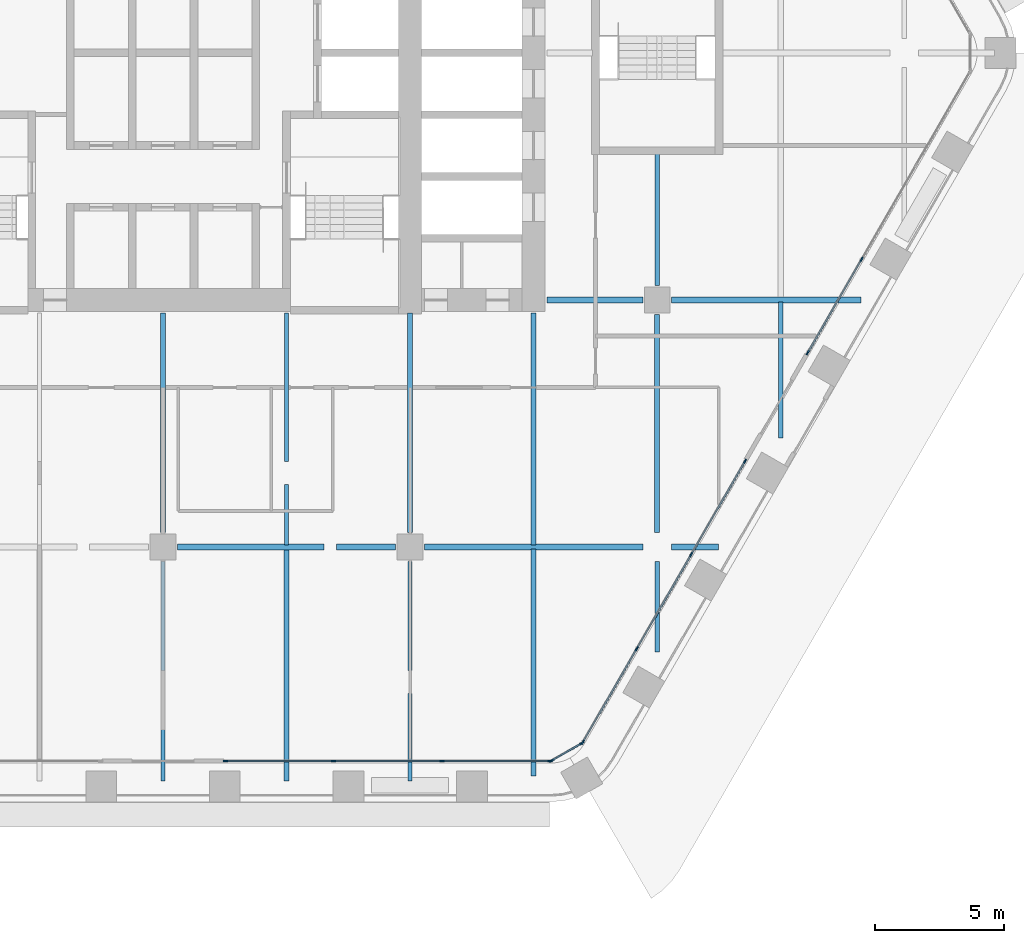
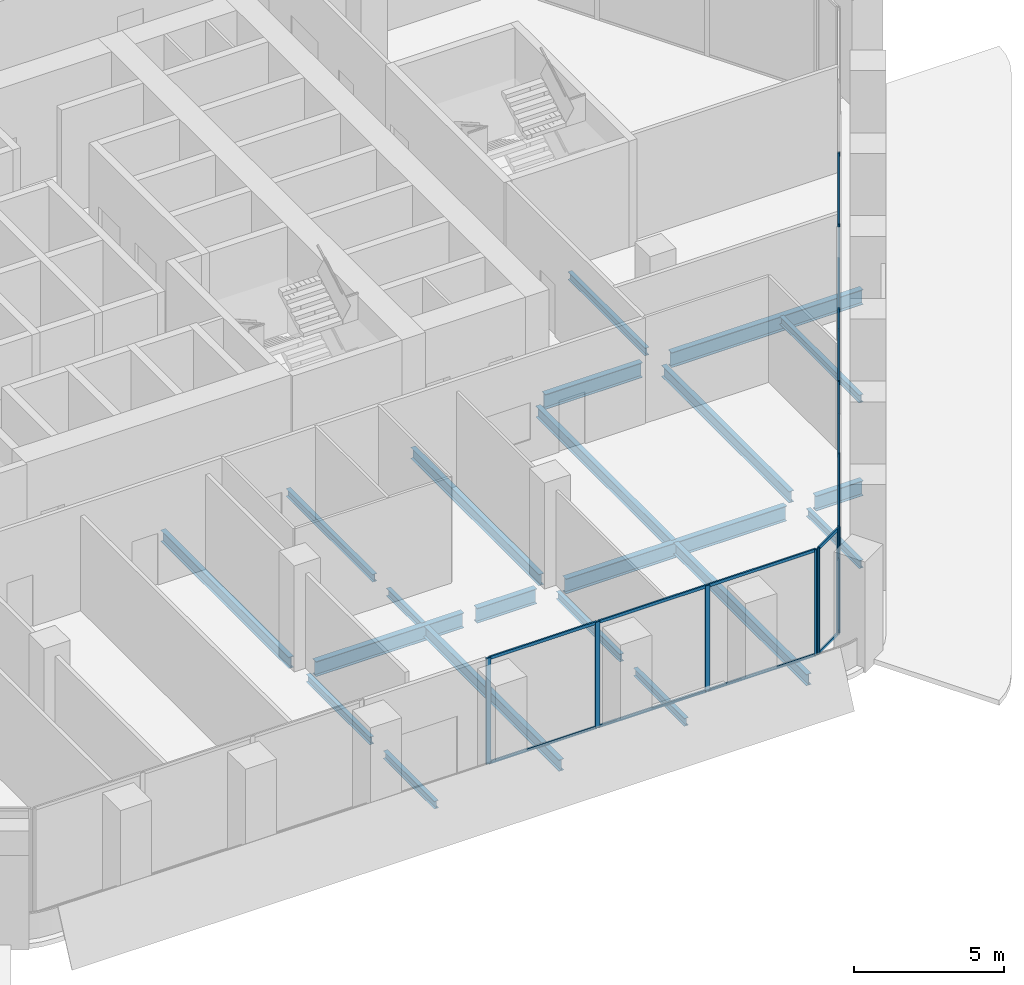
# One storey, part 4 of 23: 28 members, 21 beams, 4 elements without a shape of their own.
"""IFC4 building model written with IfcOpenShell, lengths in metres."""

from ifc_helpers import new_model, si_unit, direction, frame, origin, origin_2d, place, context, subcontext, project, spatial, rectangle, i_section, extrude, material, material_profile, profile_set, type_object, element, aggregate, save


model = new_model("IFC4")

# Units and contexts
model_context = context("Model", 3, precision=1e-05, world=origin(), true_north=direction((0.0, 1.0)))
body_context = subcontext(model_context, "Body", "Model", "MODEL_VIEW")
ifc_project = project(units=[si_unit("LENGTHUNIT", "METRE"), si_unit("AREAUNIT", "SQUARE_METRE"), si_unit("VOLUMEUNIT", "CUBIC_METRE"), si_unit("PLANEANGLEUNIT", "RADIAN"), si_unit("MASSUNIT", "GRAM", prefix="KILO")], contexts=[model_context])

# Site, building, storey
site_placement = place(None, origin())
site = spatial("IfcSite", under=ifc_project, at=site_placement, CompositionType="ELEMENT")
building_placement = place(site_placement, origin())
building = spatial("IfcBuilding", under=site, at=building_placement, Name="Kolab Exchange Tower", CompositionType="ELEMENT")
storey_placement = place(building_placement, frame((0.0, 0.0, 77.89990234375)))
storey = spatial("IfcBuildingStorey", under=building, at=storey_placement, Name="L14", CompositionType="ELEMENT", Elevation=77.89990234375)

# Beams
ifc_material_1 = material(Name="Steel S355", Category="steel")
ifc_material_profile_1 = material_profile(ifc_material_1, i_section(OverallWidth=0.1650390625, OverallDepth=0.31005859375, WebThickness=0.005859375, FlangeThickness=0.009765625, at=origin_2d()), Name="W310X39")
ifc_profile_set_1 = profile_set([ifc_material_profile_1], Name="Steel S355")
beam_type_1 = type_object("IfcBeamType", Name="FLOOR BEAM W310X39", PredefinedType="BEAM", material=ifc_profile_set_1)
beam_1_placement = place(storey_placement, frame((0.0, -28.28857421875, -0.35498046875), z_axis=(0.0, 1.0, 0.0), x_axis=(-1.0, 0.0, 0.0)))
element("IfcBeam", 1, at=beam_1_placement, inside=storey, type_object=beam_type_1, Name="beam/L14/fr/027", PredefinedType="BEAM", context=body_context, shape_type="SweptSolid", body=[
    extrude(i_section(OverallWidth=0.1650390625, OverallDepth=0.31005859375, WebThickness=0.005859375, FlangeThickness=0.009765625, at=origin_2d()), origin(), (0.0, 0.0, 1.0), 3.39599609375),
])
beam_2_placement = place(storey_placement, frame((0.0, -23.990478515625, -0.35498046875), z_axis=(0.0, 1.0, 0.0), x_axis=(-1.0, 0.0, 0.0)))
element("IfcBeam", 2, at=beam_2_placement, inside=storey, type_object=beam_type_1, Name="beam/L14/fr/028", PredefinedType="BEAM", context=body_context, shape_type="SweptSolid", body=[
    extrude(i_section(OverallWidth=0.1650390625, OverallDepth=0.31005859375, WebThickness=0.005859375, FlangeThickness=0.009765625, at=origin_2d()), origin(), (0.0, 0.0, 1.0), 4.23046875),
])
beam_3_placement = place(storey_placement, frame((4.800048828125, -19.1259765625, -0.35498046875), z_axis=(0.0, 1.0, 0.0), x_axis=(-1.0, 0.0, 0.0)))
element("IfcBeam", 3, at=beam_3_placement, inside=storey, type_object=beam_type_1, Name="beam/L14/fr/034", PredefinedType="BEAM", context=body_context, shape_type="SweptSolid", body=[
    extrude(i_section(OverallWidth=0.1650390625, OverallDepth=0.31005859375, WebThickness=0.005859375, FlangeThickness=0.009765625, at=origin_2d()), origin(), (0.0, 0.0, 1.0), 2.34716796875),
])
beam_4_placement = place(storey_placement, frame((4.800048828125, -15.876708984375, -0.35498046875), z_axis=(0.0, 1.0, 0.0), x_axis=(-1.0, 0.0, 0.0)))
element("IfcBeam", 4, at=beam_4_placement, inside=storey, type_object=beam_type_1, Name="beam/L14/fr/035", PredefinedType="BEAM", context=body_context, shape_type="SweptSolid", body=[
    extrude(i_section(OverallWidth=0.1650390625, OverallDepth=0.31005859375, WebThickness=0.005859375, FlangeThickness=0.009765625, at=origin_2d()), origin(), (0.0, 0.0, 1.0), 5.7666015625),
])
beam_5_placement = place(storey_placement, frame((9.60009765625, -28.28857421875, -0.35498046875), z_axis=(0.0, 1.0, 0.0), x_axis=(-1.0, 0.0, 0.0)))
element("IfcBeam", 5, at=beam_5_placement, inside=storey, type_object=beam_type_1, Name="beam/L14/fr/039", PredefinedType="BEAM", context=body_context, shape_type="SweptSolid", body=[
    extrude(i_section(OverallWidth=0.1650390625, OverallDepth=0.31005859375, WebThickness=0.005859375, FlangeThickness=0.009765625, at=origin_2d()), origin(), (0.0, 0.0, 1.0), 3.39599609375),
])
beam_6_placement = place(storey_placement, frame((9.60009765625, -23.990478515625, -0.35498046875), z_axis=(0.0, 1.0, 0.0), x_axis=(-1.0, 0.0, 0.0)))
element("IfcBeam", 6, at=beam_6_placement, inside=storey, type_object=beam_type_1, Name="beam/L14/fr/040", PredefinedType="BEAM", context=body_context, shape_type="SweptSolid", body=[
    extrude(i_section(OverallWidth=0.1650390625, OverallDepth=0.31005859375, WebThickness=0.005859375, FlangeThickness=0.009765625, at=origin_2d()), origin(), (0.0, 0.0, 1.0), 4.23046875),
])
beam_7_placement = place(storey_placement, frame((19.199951171875, -23.281494140625, -0.35498046875), z_axis=(0.0, 1.0, 0.0), x_axis=(-1.0, 0.0, 0.0)))
element("IfcBeam", 7, at=beam_7_placement, inside=storey, type_object=beam_type_1, Name="beam/L14/fr/048", PredefinedType="BEAM", context=body_context, shape_type="SweptSolid", body=[
    extrude(i_section(OverallWidth=0.1650390625, OverallDepth=0.31005859375, WebThickness=0.005859375, FlangeThickness=0.009765625, at=origin_2d()), origin(), (0.0, 0.0, 1.0), 3.521484375),
])
beam_8_placement = place(storey_placement, frame((19.199951171875, -9.0400390625, -0.35498046875), z_axis=(0.0, 1.0, 0.0), x_axis=(-1.0, 0.0, 0.0)))
element("IfcBeam", 8, at=beam_8_placement, inside=storey, type_object=beam_type_1, Name="beam/L14/fr/050", PredefinedType="BEAM", context=body_context, shape_type="SweptSolid", body=[
    extrude(i_section(OverallWidth=0.1650390625, OverallDepth=0.31005859375, WebThickness=0.005859375, FlangeThickness=0.009765625, at=origin_2d()), origin(), (0.0, 0.0, 1.0), 5.130126953125),
])
beam_9_placement = place(storey_placement, frame((24.0, -14.9677734375, -0.35498046875), z_axis=(0.0, 1.0, 0.0), x_axis=(-1.0, 0.0, 0.0)))
element("IfcBeam", 9, at=beam_9_placement, inside=storey, type_object=beam_type_1, Name="beam/L14/fr/054", PredefinedType="BEAM", context=body_context, shape_type="SweptSolid", body=[
    extrude(i_section(OverallWidth=0.1650390625, OverallDepth=0.31005859375, WebThickness=0.005859375, FlangeThickness=0.009765625, at=origin_2d()), origin(), (0.0, 0.0, 1.0), 5.293701171875),
])
ifc_material_profile_2 = material_profile(ifc_material_1, i_section(OverallWidth=0.18994140625, OverallDepth=0.45703125, WebThickness=0.009033203125, FlangeThickness=0.014404296875, at=origin_2d()), Name="W460X74")
ifc_profile_set_2 = profile_set([ifc_material_profile_2], Name="Steel S355")
beam_type_2 = type_object("IfcBeamType", Name="FLOOR BEAM W460X74", PredefinedType="BEAM", material=ifc_profile_set_2)
beam_10_placement = place(storey_placement, frame((0.0, -18.639892578125, -0.428466796875), z_axis=(0.0, 1.0, 0.0), x_axis=(-1.0, 0.0, 0.0)))
element("IfcBeam", 10, at=beam_10_placement, inside=storey, type_object=beam_type_2, Name="beam/L14/fr/029", PredefinedType="BEAM", context=body_context, shape_type="SweptSolid", body=[
    extrude(i_section(OverallWidth=0.18994140625, OverallDepth=0.45703125, WebThickness=0.009033203125, FlangeThickness=0.014404296875, at=origin_2d()), origin(), (0.0, 0.0, 1.0), 8.52978515625),
])
beam_11_placement = place(storey_placement, frame((4.800048828125, -28.28857421875, -0.428466796875), z_axis=(0.0, 1.0, 0.0), x_axis=(-1.0, 0.0, 0.0)))
element("IfcBeam", 11, at=beam_11_placement, inside=storey, type_object=beam_type_2, Name="beam/L14/fr/033", PredefinedType="BEAM", context=body_context, shape_type="SweptSolid", body=[
    extrude(i_section(OverallWidth=0.18994140625, OverallDepth=0.45703125, WebThickness=0.009033203125, FlangeThickness=0.014404296875, at=origin_2d()), origin(), (0.0, 0.0, 1.0), 9.0146484375),
])
beam_12_placement = place(storey_placement, frame((9.60009765625, -18.639892578125, -0.428466796875), z_axis=(0.0, 1.0, 0.0), x_axis=(-1.0, 0.0, 0.0)))
element("IfcBeam", 12, at=beam_12_placement, inside=storey, type_object=beam_type_2, Name="beam/L14/fr/041", PredefinedType="BEAM", context=body_context, shape_type="SweptSolid", body=[
    extrude(i_section(OverallWidth=0.18994140625, OverallDepth=0.45703125, WebThickness=0.009033203125, FlangeThickness=0.014404296875, at=origin_2d()), origin(), (0.0, 0.0, 1.0), 8.52978515625),
])
beam_13_placement = place(storey_placement, frame((14.39990234375, -28.10693359375, -0.428466796875), z_axis=(0.0, 1.0, 0.0), x_axis=(-1.0, 0.0, 0.0)))
element("IfcBeam", 13, at=beam_13_placement, inside=storey, type_object=beam_type_2, Name="beam/L14/fr/044", PredefinedType="BEAM", context=body_context, shape_type="SweptSolid", body=[
    extrude(i_section(OverallWidth=0.18994140625, OverallDepth=0.45703125, WebThickness=0.009033203125, FlangeThickness=0.014404296875, at=origin_2d()), origin(), (0.0, 0.0, 1.0), 8.8330078125),
])
beam_14_placement = place(storey_placement, frame((14.39990234375, -19.1259765625, -0.428466796875), z_axis=(0.0, 1.0, 0.0), x_axis=(-1.0, 0.0, 0.0)))
element("IfcBeam", 14, at=beam_14_placement, inside=storey, type_object=beam_type_2, Name="beam/L14/fr/045", PredefinedType="BEAM", context=body_context, shape_type="SweptSolid", body=[
    extrude(i_section(OverallWidth=0.18994140625, OverallDepth=0.45703125, WebThickness=0.009033203125, FlangeThickness=0.014404296875, at=origin_2d()), origin(), (0.0, 0.0, 1.0), 9.015869140625),
])
beam_15_placement = place(storey_placement, frame((19.199951171875, -18.639892578125, -0.428466796875), z_axis=(0.0, 1.0, 0.0), x_axis=(-1.0, 0.0, 0.0)))
element("IfcBeam", 15, at=beam_15_placement, inside=storey, type_object=beam_type_2, Name="beam/L14/fr/049", PredefinedType="BEAM", context=body_context, shape_type="SweptSolid", body=[
    extrude(i_section(OverallWidth=0.18994140625, OverallDepth=0.45703125, WebThickness=0.009033203125, FlangeThickness=0.014404296875, at=origin_2d()), origin(), (0.0, 0.0, 1.0), 8.47998046875),
])
ifc_material_profile_3 = material_profile(ifc_material_1, i_section(OverallWidth=0.22802734375, OverallDepth=0.60791015625, WebThickness=0.01123046875, FlangeThickness=0.017333984375, at=origin_2d()), Name="W610X113")
ifc_profile_set_3 = profile_set([ifc_material_profile_3], Name="Steel S355")
beam_type_3 = type_object("IfcBeamType", Name="FLOOR GIRDER W610X113", PredefinedType="BEAM", material=ifc_profile_set_3)
beam_16_placement = place(storey_placement, frame((0.56005859375, -19.199951171875, -0.50390625), z_axis=(1.0, 0.0, 0.0), x_axis=(0.0, 1.0, 0.0)))
element("IfcBeam", 16, at=beam_16_placement, inside=storey, type_object=beam_type_3, Name="beam/L14/gd/015", PredefinedType="BEAM", context=body_context, shape_type="SweptSolid", body=[
    extrude(i_section(OverallWidth=0.22802734375, OverallDepth=0.60791015625, WebThickness=0.01123046875, FlangeThickness=0.017333984375, at=origin_2d()), origin(), (0.0, 0.0, 1.0), 5.688720703125),
])
beam_17_placement = place(storey_placement, frame((6.749755859375, -19.199951171875, -0.50390625), z_axis=(1.0, 0.0, 0.0), x_axis=(0.0, 1.0, 0.0)))
element("IfcBeam", 17, at=beam_17_placement, inside=storey, type_object=beam_type_3, Name="beam/L14/gd/018", PredefinedType="BEAM", context=body_context, shape_type="SweptSolid", body=[
    extrude(i_section(OverallWidth=0.22802734375, OverallDepth=0.60791015625, WebThickness=0.01123046875, FlangeThickness=0.017333984375, at=origin_2d()), origin(), (0.0, 0.0, 1.0), 2.290283203125),
])
beam_18_placement = place(storey_placement, frame((10.159912109375, -19.199951171875, -0.50390625), z_axis=(1.0, 0.0, 0.0), x_axis=(0.0, 1.0, 0.0)))
element("IfcBeam", 18, at=beam_18_placement, inside=storey, type_object=beam_type_3, Name="beam/L14/gd/019", PredefinedType="BEAM", context=body_context, shape_type="SweptSolid", body=[
    extrude(i_section(OverallWidth=0.22802734375, OverallDepth=0.60791015625, WebThickness=0.01123046875, FlangeThickness=0.017333984375, at=origin_2d()), origin(), (0.0, 0.0, 1.0), 8.47998046875),
])
beam_19_placement = place(storey_placement, frame((14.909912109375, -9.60009765625, -0.50390625), z_axis=(1.0, 0.0, 0.0), x_axis=(0.0, 1.0, 0.0)))
element("IfcBeam", 19, at=beam_19_placement, inside=storey, type_object=beam_type_3, Name="beam/L14/gd/021", PredefinedType="BEAM", context=body_context, shape_type="SweptSolid", body=[
    extrude(i_section(OverallWidth=0.22802734375, OverallDepth=0.60791015625, WebThickness=0.01123046875, FlangeThickness=0.017333984375, at=origin_2d()), origin(), (0.0, 0.0, 1.0), 3.72998046875),
])
beam_20_placement = place(storey_placement, frame((19.760009765625, -19.199951171875, -0.50390625), z_axis=(1.0, 0.0, 0.0), x_axis=(0.0, 1.0, 0.0)))
element("IfcBeam", 20, at=beam_20_placement, inside=storey, type_object=beam_type_3, Name="beam/L14/gd/024", PredefinedType="BEAM", context=body_context, shape_type="SweptSolid", body=[
    extrude(i_section(OverallWidth=0.22802734375, OverallDepth=0.60791015625, WebThickness=0.01123046875, FlangeThickness=0.017333984375, at=origin_2d()), origin(), (0.0, 0.0, 1.0), 1.8134765625),
])
beam_21_placement = place(storey_placement, frame((19.760009765625, -9.60009765625, -0.50390625), z_axis=(1.0, 0.0, 0.0), x_axis=(0.0, 1.0, 0.0)))
element("IfcBeam", 21, at=beam_21_placement, inside=storey, type_object=beam_type_3, Name="beam/L14/gd/025", PredefinedType="BEAM", context=body_context, shape_type="SweptSolid", body=[
    extrude(i_section(OverallWidth=0.22802734375, OverallDepth=0.60791015625, WebThickness=0.01123046875, FlangeThickness=0.017333984375, at=origin_2d()), origin(), (0.0, 0.0, 1.0), 7.35595703125),
])

# Curtain wall, members
ifc_material_2 = material(Name="Aluminium EN AW-6063 T6", Category="aluminium")
curtain_wall_type = type_object("IfcCurtainWallType", Name="UNITISED LOWER MID ZONE CURTAIN WALL", PredefinedType="NOTDEFINED", material=ifc_material_2)
curtain_wall_1_placement = place(storey_placement, origin())
curtain_wall_1 = element("IfcCurtainWall", 22, at=curtain_wall_1_placement, inside=storey, type_object=curtain_wall_type, Name="cw/L14/F3-1", PredefinedType="NOTDEFINED")
ifc_material_profile_4 = material_profile(ifc_material_2, rectangle(XDim=0.06005859375, YDim=0.179931640625, at=origin_2d()), Name="RECT 60X180")
ifc_profile_set_4 = profile_set([ifc_material_profile_4], Name="Aluminium EN AW-6063 T6")
member_type_1 = type_object("IfcMemberType", Name="UNITISED LOWER MID ZONE MULLION 60 X 180", PredefinedType="MULLION", material=ifc_profile_set_4)
member_1_placement = place(storey_placement, frame((27.14306640625, -8.02392578125, 0.0), z_axis=(0.0, 0.0, 1.0), x_axis=(0.866025427826, -0.499999958358, 0.0)))
member_1 = element("IfcMember", 23, at=member_1_placement, type_object=member_type_1, Name="CW2 mullion 3", PredefinedType="MULLION", context=body_context, shape_type="SweptSolid", body=[
    extrude(rectangle(XDim=0.06005859375, YDim=0.179931640625, at=origin_2d()), origin(), (0.0, 0.0, 1.0), 4.300048828125),
])
member_2_placement = place(storey_placement, frame((25.046630859375, -11.65478515625, 0.0), z_axis=(0.0, 0.0, 1.0), x_axis=(0.866025427826, -0.499999958358, 0.0)))
member_2 = element("IfcMember", 24, at=member_2_placement, type_object=member_type_1, Name="CW2 mullion 4", PredefinedType="MULLION", context=body_context, shape_type="SweptSolid", body=[
    extrude(rectangle(XDim=0.06005859375, YDim=0.179931640625, at=origin_2d()), origin(), (0.0, 0.0, 1.0), 4.300048828125),
])

curtain_wall_2_placement = place(storey_placement, origin())
curtain_wall_2 = element("IfcCurtainWall", 25, at=curtain_wall_2_placement, inside=storey, type_object=curtain_wall_type, Name="cw/L14/F3-2", PredefinedType="NOTDEFINED")
member_3_placement = place(storey_placement, frame((22.61669921875, -15.86376953125, 0.0), z_axis=(0.0, 0.0, 1.0), x_axis=(0.866025393644, -0.500000017564, 0.0)))
member_3 = element("IfcMember", 26, at=member_3_placement, type_object=member_type_1, Name="CW2 mullion 1", PredefinedType="MULLION", context=body_context, shape_type="SweptSolid", body=[
    extrude(rectangle(XDim=0.06005859375, YDim=0.179931640625, at=origin_2d()), origin(), (0.0, 0.0, 1.0), 4.300048828125),
])
member_4_placement = place(storey_placement, frame((20.520263671875, -19.49462890625, 0.0), z_axis=(0.0, 0.0, 1.0), x_axis=(0.866025393644, -0.500000017564, 0.0)))
member_4 = element("IfcMember", 27, at=member_4_placement, type_object=member_type_1, Name="CW2 mullion 2", PredefinedType="MULLION", context=body_context, shape_type="SweptSolid", body=[
    extrude(rectangle(XDim=0.06005859375, YDim=0.179931640625, at=origin_2d()), origin(), (0.0, 0.0, 1.0), 4.300048828125),
])
member_5_placement = place(storey_placement, frame((18.408935546875, -23.151611328125, 0.0), z_axis=(0.0, 0.0, 1.0), x_axis=(0.866025393644, -0.500000017564, 0.0)))
member_5 = element("IfcMember", 28, at=member_5_placement, type_object=member_type_1, Name="CW2 mullion 3", PredefinedType="MULLION", context=body_context, shape_type="SweptSolid", body=[
    extrude(rectangle(XDim=0.06005859375, YDim=0.179931640625, at=origin_2d()), origin(), (0.0, 0.0, 1.0), 4.300048828125),
])
member_6_placement = place(storey_placement, frame((16.312744140625, -26.782470703125, 0.0), z_axis=(0.0, 0.0, 1.0), x_axis=(0.866025393644, -0.500000017564, 0.0)))
member_6 = element("IfcMember", 29, at=member_6_placement, type_object=member_type_1, Name="CW2 mullion 4", PredefinedType="MULLION", context=body_context, shape_type="SweptSolid", body=[
    extrude(rectangle(XDim=0.06005859375, YDim=0.179931640625, at=origin_2d()), origin(), (0.0, 0.0, 1.0), 4.300048828125),
])

curtain_wall_3_placement = place(storey_placement, origin())
curtain_wall_3 = element("IfcCurtainWall", 30, at=curtain_wall_3_placement, inside=storey, type_object=curtain_wall_type, Name="cw/L14/F4-1", PredefinedType="NOTDEFINED")
member_7_placement = place(storey_placement, frame((15.037841796875, -27.5185546875, 0.0), z_axis=(0.0, 0.0, 1.0), x_axis=(0.0, -1.0, 0.0)))
member_7 = element("IfcMember", 31, at=member_7_placement, type_object=member_type_1, Name="CW2 mullion 1", PredefinedType="MULLION", context=body_context, shape_type="SweptSolid", body=[
    extrude(rectangle(XDim=0.06005859375, YDim=0.179931640625, at=origin_2d()), origin(), (0.0, 0.0, 1.0), 4.300048828125),
])
member_8_placement = place(storey_placement, frame((10.84521484375, -27.5185546875, 0.0), z_axis=(0.0, 0.0, 1.0), x_axis=(0.0, -1.0, 0.0)))
member_8 = element("IfcMember", 32, at=member_8_placement, type_object=member_type_1, Name="CW2 mullion 2", PredefinedType="MULLION", context=body_context, shape_type="SweptSolid", body=[
    extrude(rectangle(XDim=0.06005859375, YDim=0.179931640625, at=origin_2d()), origin(), (0.0, 0.0, 1.0), 4.300048828125),
])
member_9_placement = place(storey_placement, frame((6.62255859375, -27.5185546875, 0.0), z_axis=(0.0, 0.0, 1.0), x_axis=(0.0, -1.0, 0.0)))
member_9 = element("IfcMember", 33, at=member_9_placement, type_object=member_type_1, Name="CW2 mullion 3", PredefinedType="MULLION", context=body_context, shape_type="SweptSolid", body=[
    extrude(rectangle(XDim=0.06005859375, YDim=0.179931640625, at=origin_2d()), origin(), (0.0, 0.0, 1.0), 4.300048828125),
])
member_10_placement = place(storey_placement, frame((2.429931640625, -27.5185546875, 0.0), z_axis=(0.0, 0.0, 1.0), x_axis=(0.0, -1.0, 0.0)))
member_10 = element("IfcMember", 34, at=member_10_placement, type_object=member_type_1, Name="CW2 mullion 4", PredefinedType="MULLION", context=body_context, shape_type="SweptSolid", body=[
    extrude(rectangle(XDim=0.06005859375, YDim=0.179931640625, at=origin_2d()), origin(), (0.0, 0.0, 1.0), 4.300048828125),
])

curtain_wall_4_placement = place(storey_placement, origin())
curtain_wall_4 = element("IfcCurtainWall", 35, at=curtain_wall_4_placement, inside=storey, type_object=curtain_wall_type, Name="cw/L14/F3F4-corner", PredefinedType="NOTDEFINED")
member_11_placement = place(storey_placement, frame((16.271728515625, -26.823486328125, 0.0), z_axis=(0.0, 0.0, 1.0), x_axis=(0.50000002237, -0.866025390869, 0.0)))
member_11 = element("IfcMember", 36, at=member_11_placement, type_object=member_type_1, Name="CW2 mullion 1", PredefinedType="MULLION", context=body_context, shape_type="SweptSolid", body=[
    extrude(rectangle(XDim=0.06005859375, YDim=0.179931640625, at=origin_2d()), origin(), (0.0, 0.0, 1.0), 4.300048828125),
])
member_12_placement = place(storey_placement, frame((15.093994140625, -27.50341796875, 0.0), z_axis=(0.0, 0.0, 1.0), x_axis=(0.50000002237, -0.866025390869, 0.0)))
member_12 = element("IfcMember", 37, at=member_12_placement, type_object=member_type_1, Name="CW2 mullion 2", PredefinedType="MULLION", context=body_context, shape_type="SweptSolid", body=[
    extrude(rectangle(XDim=0.06005859375, YDim=0.179931640625, at=origin_2d()), origin(), (0.0, 0.0, 1.0), 4.300048828125),
])

# Member
ifc_material_profile_5 = material_profile(ifc_material_2, rectangle(XDim=0.06005859375, YDim=0.1201171875, at=origin_2d()), Name="RECT 60X120")
ifc_profile_set_5 = profile_set([ifc_material_profile_5], Name="Aluminium EN AW-6063 T6")
member_type_2 = type_object("IfcMemberType", Name="UNITISED LOWER MID ZONE TRANSOM 60 X 120", PredefinedType="USERDEFINED", material=ifc_profile_set_5)
member_13_placement = place(storey_placement, frame((27.1279296875, -8.0498046875, 0.030029296875), z_axis=(-0.499957688808, -0.866049830784, 0.0), x_axis=(0.866049830784, -0.499957688808, 0.0)))
member_13 = element("IfcMember", 38, at=member_13_placement, type_object=member_type_2, Name="CW2 transom 3.1", ObjectType="TRANSOM", PredefinedType="USERDEFINED", context=body_context, shape_type="SweptSolid", body=[
    extrude(rectangle(XDim=0.06005859375, YDim=0.1201171875, at=origin_2d()), origin(), (0.0, 0.0, 1.0), 4.132568359375),
])

member_14_placement = place(storey_placement, frame((27.1279296875, -8.0498046875, 4.27001953125), z_axis=(-0.499957688808, -0.866049830784, 0.0), x_axis=(0.866049830784, -0.499957688808, 0.0)))
member_14 = element("IfcMember", 39, at=member_14_placement, type_object=member_type_2, Name="CW2 transom 3.2", ObjectType="TRANSOM", PredefinedType="USERDEFINED", context=body_context, shape_type="SweptSolid", body=[
    extrude(rectangle(XDim=0.06005859375, YDim=0.1201171875, at=origin_2d()), origin(), (0.0, 0.0, 1.0), 4.132568359375),
])

aggregate(curtain_wall_1, [member_1, member_2, member_13, member_14])

member_15_placement = place(storey_placement, frame((22.6015625, -15.8896484375, 0.030029296875), z_axis=(-0.499957688808, -0.866049830784, 0.0), x_axis=(0.866049830784, -0.499957688808, 0.0)))
member_15 = element("IfcMember", 40, at=member_15_placement, type_object=member_type_2, Name="CW2 transom 1.1", ObjectType="TRANSOM", PredefinedType="USERDEFINED", context=body_context, shape_type="SweptSolid", body=[
    extrude(rectangle(XDim=0.06005859375, YDim=0.1201171875, at=origin_2d()), origin(), (0.0, 0.0, 1.0), 4.132568359375),
])

member_16_placement = place(storey_placement, frame((22.6015625, -15.8896484375, 4.27001953125), z_axis=(-0.499957688808, -0.866049830784, 0.0), x_axis=(0.866049830784, -0.499957688808, 0.0)))
member_16 = element("IfcMember", 41, at=member_16_placement, type_object=member_type_2, Name="CW2 transom 1.2", ObjectType="TRANSOM", PredefinedType="USERDEFINED", context=body_context, shape_type="SweptSolid", body=[
    extrude(rectangle(XDim=0.06005859375, YDim=0.1201171875, at=origin_2d()), origin(), (0.0, 0.0, 1.0), 4.132568359375),
])

member_17_placement = place(storey_placement, frame((20.50537109375, -19.5205078125, 0.030029296875), z_axis=(-0.49999322259, -0.866029316688, 0.0), x_axis=(0.866029316688, -0.49999322259, 0.0)))
member_17 = element("IfcMember", 42, at=member_17_placement, type_object=member_type_2, Name="CW2 transom 2.1", ObjectType="TRANSOM", PredefinedType="USERDEFINED", context=body_context, shape_type="SweptSolid", body=[
    extrude(rectangle(XDim=0.06005859375, YDim=0.1201171875, at=origin_2d()), origin(), (0.0, 0.0, 1.0), 4.16259765625),
])

member_18_placement = place(storey_placement, frame((20.50537109375, -19.5205078125, 4.27001953125), z_axis=(-0.49999322259, -0.866029316688, 0.0), x_axis=(0.866029316688, -0.49999322259, 0.0)))
member_18 = element("IfcMember", 43, at=member_18_placement, type_object=member_type_2, Name="CW2 transom 2.2", ObjectType="TRANSOM", PredefinedType="USERDEFINED", context=body_context, shape_type="SweptSolid", body=[
    extrude(rectangle(XDim=0.06005859375, YDim=0.1201171875, at=origin_2d()), origin(), (0.0, 0.0, 1.0), 4.16259765625),
])

member_19_placement = place(storey_placement, frame((18.39404296875, -23.177490234375, 0.030029296875), z_axis=(-0.500001996123, -0.866024251319, 0.0), x_axis=(0.866024251319, -0.500001996123, 0.0)))
member_19 = element("IfcMember", 44, at=member_19_placement, type_object=member_type_2, Name="CW2 transom 3.1", ObjectType="TRANSOM", PredefinedType="USERDEFINED", context=body_context, shape_type="SweptSolid", body=[
    extrude(rectangle(XDim=0.06005859375, YDim=0.1201171875, at=origin_2d()), origin(), (0.0, 0.0, 1.0), 4.1328125),
])

member_20_placement = place(storey_placement, frame((18.39404296875, -23.177490234375, 4.27001953125), z_axis=(-0.500001996123, -0.866024251319, 0.0), x_axis=(0.866024251319, -0.500001996123, 0.0)))
member_20 = element("IfcMember", 45, at=member_20_placement, type_object=member_type_2, Name="CW2 transom 3.2", ObjectType="TRANSOM", PredefinedType="USERDEFINED", context=body_context, shape_type="SweptSolid", body=[
    extrude(rectangle(XDim=0.06005859375, YDim=0.1201171875, at=origin_2d()), origin(), (0.0, 0.0, 1.0), 4.1328125),
])

aggregate(curtain_wall_2, [member_3, member_4, member_5, member_6, member_15, member_16, member_17, member_18, member_19, member_20])

member_21_placement = place(storey_placement, frame((15.008056640625, -27.5185546875, 0.030029296875), z_axis=(-1.0, 0.0, 0.0), x_axis=(0.0, -1.0, 0.0)))
member_21 = element("IfcMember", 46, at=member_21_placement, type_object=member_type_2, Name="CW2 transom 1.1", ObjectType="TRANSOM", PredefinedType="USERDEFINED", context=body_context, shape_type="SweptSolid", body=[
    extrude(rectangle(XDim=0.06005859375, YDim=0.1201171875, at=origin_2d()), origin(), (0.0, 0.0, 1.0), 4.1328125),
])

member_22_placement = place(storey_placement, frame((15.008056640625, -27.5185546875, 4.27001953125), z_axis=(-1.0, 0.0, 0.0), x_axis=(0.0, -1.0, 0.0)))
member_22 = element("IfcMember", 47, at=member_22_placement, type_object=member_type_2, Name="CW2 transom 1.2", ObjectType="TRANSOM", PredefinedType="USERDEFINED", context=body_context, shape_type="SweptSolid", body=[
    extrude(rectangle(XDim=0.06005859375, YDim=0.1201171875, at=origin_2d()), origin(), (0.0, 0.0, 1.0), 4.1328125),
])

member_23_placement = place(storey_placement, frame((10.815185546875, -27.5185546875, 0.030029296875), z_axis=(-1.0, 0.0, 0.0), x_axis=(0.0, -1.0, 0.0)))
member_23 = element("IfcMember", 48, at=member_23_placement, type_object=member_type_2, Name="CW2 transom 2.1", ObjectType="TRANSOM", PredefinedType="USERDEFINED", context=body_context, shape_type="SweptSolid", body=[
    extrude(rectangle(XDim=0.06005859375, YDim=0.1201171875, at=origin_2d()), origin(), (0.0, 0.0, 1.0), 4.16259765625),
])

member_24_placement = place(storey_placement, frame((10.815185546875, -27.5185546875, 4.27001953125), z_axis=(-1.0, 0.0, 0.0), x_axis=(0.0, -1.0, 0.0)))
member_24 = element("IfcMember", 49, at=member_24_placement, type_object=member_type_2, Name="CW2 transom 2.2", ObjectType="TRANSOM", PredefinedType="USERDEFINED", context=body_context, shape_type="SweptSolid", body=[
    extrude(rectangle(XDim=0.06005859375, YDim=0.1201171875, at=origin_2d()), origin(), (0.0, 0.0, 1.0), 4.16259765625),
])

member_25_placement = place(storey_placement, frame((6.592529296875, -27.5185546875, 0.030029296875), z_axis=(-1.0, 0.0, 0.0), x_axis=(0.0, -1.0, 0.0)))
member_25 = element("IfcMember", 50, at=member_25_placement, type_object=member_type_2, Name="CW2 transom 3.1", ObjectType="TRANSOM", PredefinedType="USERDEFINED", context=body_context, shape_type="SweptSolid", body=[
    extrude(rectangle(XDim=0.06005859375, YDim=0.1201171875, at=origin_2d()), origin(), (0.0, 0.0, 1.0), 4.132568359375),
])

member_26_placement = place(storey_placement, frame((6.592529296875, -27.5185546875, 4.27001953125), z_axis=(-1.0, 0.0, 0.0), x_axis=(0.0, -1.0, 0.0)))
member_26 = element("IfcMember", 51, at=member_26_placement, type_object=member_type_2, Name="CW2 transom 3.2", ObjectType="TRANSOM", PredefinedType="USERDEFINED", context=body_context, shape_type="SweptSolid", body=[
    extrude(rectangle(XDim=0.06005859375, YDim=0.1201171875, at=origin_2d()), origin(), (0.0, 0.0, 1.0), 4.132568359375),
])

aggregate(curtain_wall_3, [member_7, member_8, member_9, member_10, member_21, member_22, member_23, member_24, member_25, member_26])

member_27_placement = place(storey_placement, frame((16.245849609375, -26.83837890625, 0.030029296875), z_axis=(-0.866004217611, -0.500036693733, 0.0), x_axis=(0.500036693733, -0.866004217611, 0.0)))
member_27 = element("IfcMember", 52, at=member_27_placement, type_object=member_type_2, Name="CW2 transom 1.1", ObjectType="TRANSOM", PredefinedType="USERDEFINED", context=body_context, shape_type="SweptSolid", body=[
    extrude(rectangle(XDim=0.06005859375, YDim=0.1201171875, at=origin_2d()), origin(), (0.0, 0.0, 1.0), 1.30029296875),
])

member_28_placement = place(storey_placement, frame((16.245849609375, -26.83837890625, 4.27001953125), z_axis=(-0.866004217611, -0.500036693733, 0.0), x_axis=(0.500036693733, -0.866004217611, 0.0)))
member_28 = element("IfcMember", 53, at=member_28_placement, type_object=member_type_2, Name="CW2 transom 1.2", ObjectType="TRANSOM", PredefinedType="USERDEFINED", context=body_context, shape_type="SweptSolid", body=[
    extrude(rectangle(XDim=0.06005859375, YDim=0.1201171875, at=origin_2d()), origin(), (0.0, 0.0, 1.0), 1.30029296875),
])

aggregate(curtain_wall_4, [member_11, member_12, member_27, member_28])

save(model, "model.ifc")
